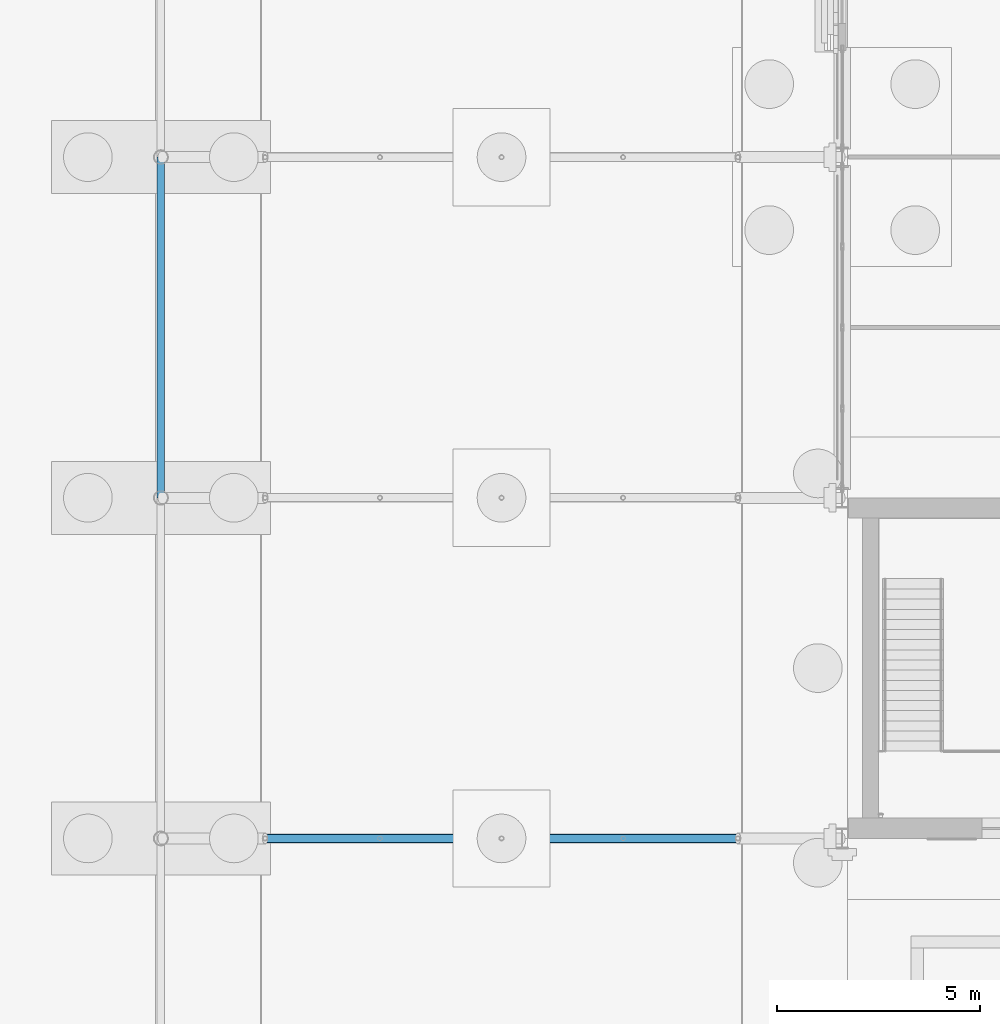
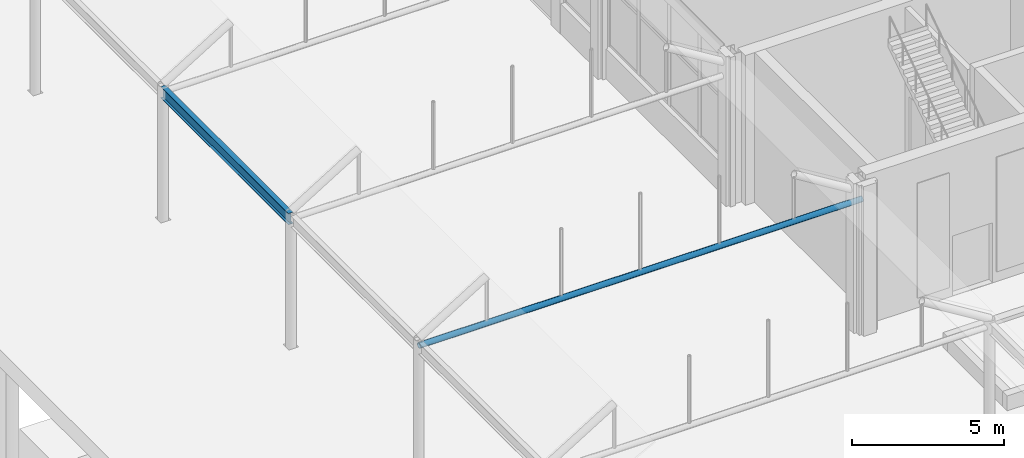
# One storey, part 142 of 212: 2 beams.
"""IFC4 building model written with IfcOpenShell, lengths in metres."""

from ifc_helpers import new_model, si_unit, direction, frame, origin, origin_2d, place, context, subcontext, project, spatial, hollow_circle, i_section, extrude, material, material_profile, profile_set, type_object, element, save


model = new_model("IFC4")

# Units and contexts
model_context = context("Model", 3, precision=1e-05, world=origin(), true_north=direction((0.0, 1.0)))
body_context = subcontext(model_context, "Body", "Model", "MODEL_VIEW")
ifc_project = project(units=[si_unit("LENGTHUNIT", "METRE"), si_unit("AREAUNIT", "SQUARE_METRE"), si_unit("VOLUMEUNIT", "CUBIC_METRE"), si_unit("PLANEANGLEUNIT", "RADIAN"), si_unit("MASSUNIT", "GRAM", prefix="KILO")], contexts=[model_context])

# Site, building, storey
site_placement = place(None, origin())
site = spatial("IfcSite", under=ifc_project, at=site_placement, CompositionType="ELEMENT")
building_placement = place(site_placement, origin())
building = spatial("IfcBuilding", under=site, at=building_placement, Name="Catenary Quay Ferry Terminal", CompositionType="ELEMENT")
storey_placement = place(building_placement, origin())
storey = spatial("IfcBuildingStorey", under=building, at=storey_placement, Name="L00", CompositionType="ELEMENT", Elevation=0.0)

# Beams
ifc_material_1 = material(Name="Steel S355", Category="steel")
ifc_material_profile_1 = material_profile(ifc_material_1, i_section(OverallWidth=0.18994140625, OverallDepth=0.453369140625, WebThickness=0.008544921875, FlangeThickness=0.0126953125, at=origin_2d()), Name="UB 457x191x67")
ifc_profile_set_1 = profile_set([ifc_material_profile_1], Name="Steel S355")
beam_type_1 = type_object("IfcBeamType", Name="B1 UB 457x191x67", PredefinedType="BEAM", material=ifc_profile_set_1)
beam_1_placement = place(storey_placement, frame((8.39990234375, 168.0, 5.10009765625), z_axis=(0.0, 1.0, 0.0), x_axis=(-1.0, 0.0, 0.0)))
element("IfcBeam", 1, at=beam_1_placement, inside=storey, type_object=beam_type_1, Name="Eaves beam B-FB13", PredefinedType="BEAM", context=body_context, shape_type="SweptSolid", body=[
    extrude(i_section(OverallWidth=0.18994140625, OverallDepth=0.453369140625, WebThickness=0.008544921875, FlangeThickness=0.0126953125, at=origin_2d()), origin(), (0.0, 0.0, 1.0), 8.39990234375),
])
ifc_material_2 = material(Name="Steel S355", Category="steel")
ifc_material_profile_2 = material_profile(ifc_material_2, hollow_circle(Radius=0.109619140625, WallThickness=0.010009765625, at=origin_2d()), Name="CHS 219.1x10")
ifc_profile_set_2 = profile_set([ifc_material_profile_2], Name="Steel S355")
beam_type_2 = type_object("IfcBeamType", Name="TB2 CHS 219.1x10", PredefinedType="BEAM", material=ifc_profile_set_2)
beam_2_placement = place(storey_placement, frame((8.39990234375, 159.60009765625, 5.10009765625), z_axis=(1.0, 0.0, 0.0), x_axis=(0.0, 1.0, 0.0)))
element("IfcBeam", 2, at=beam_2_placement, inside=storey, type_object=beam_type_2, Name="tie beam FC-12", PredefinedType="BEAM", context=body_context, shape_type="SweptSolid", body=[
    extrude(hollow_circle(Radius=0.109619140625, WallThickness=0.010009765625, at=origin_2d()), origin(), (0.0, 0.0, 1.0), 16.800048828125),
])

save(model, "model.ifc")
